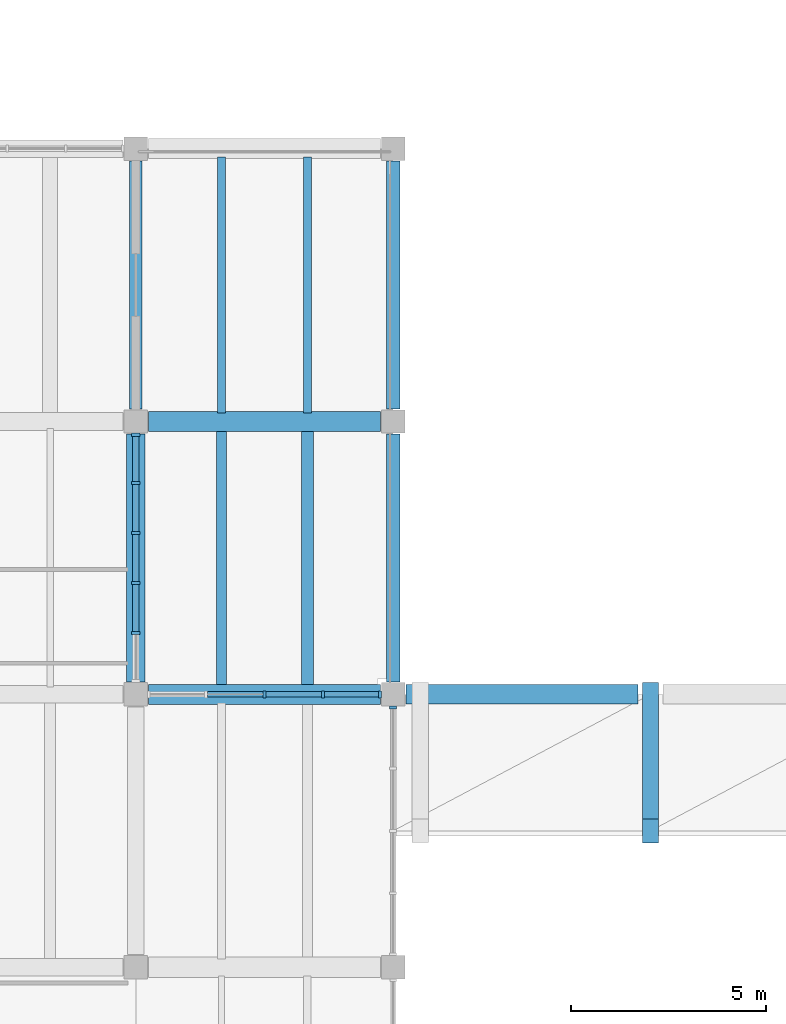
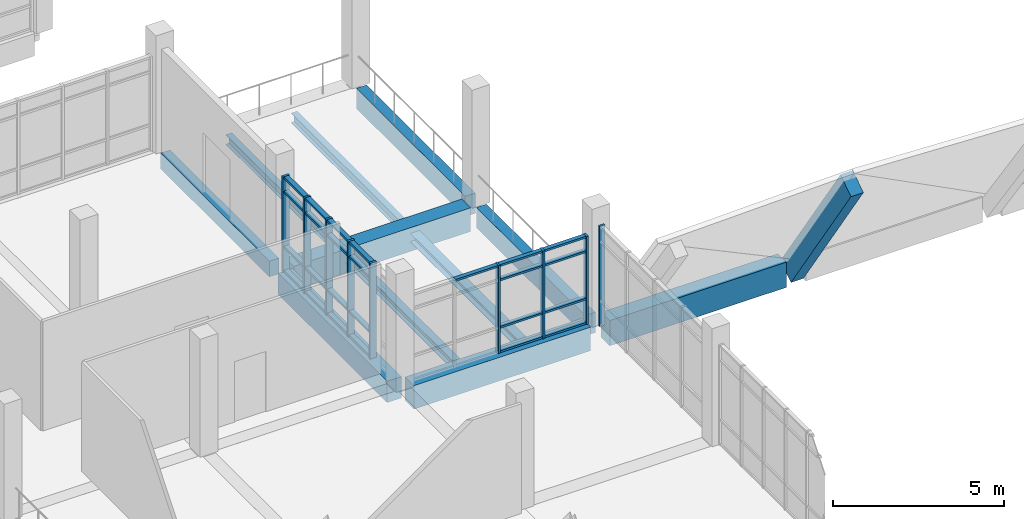
# One storey, part 16 of 67: 34 members, 12 beams, 3 elements without a shape of their own.
"""IFC4 building model written with IfcOpenShell, lengths in metres."""

from ifc_helpers import new_model, si_unit, direction, frame, origin, origin_2d, place, context, subcontext, project, spatial, rectangle, i_section, extrude, material, material_profile, profile_set, type_object, element, aggregate, save


model = new_model("IFC4")

# Units and contexts
model_context = context("Model", 3, precision=1e-05, world=origin(), true_north=direction((0.0, 1.0)))
body_context = subcontext(model_context, "Body", "Model", "MODEL_VIEW")
ifc_project = project(units=[si_unit("LENGTHUNIT", "METRE"), si_unit("AREAUNIT", "SQUARE_METRE"), si_unit("VOLUMEUNIT", "CUBIC_METRE"), si_unit("PLANEANGLEUNIT", "RADIAN"), si_unit("MASSUNIT", "GRAM", prefix="KILO")], contexts=[model_context])

# Site, building, storey
site_placement = place(None, origin())
site = spatial("IfcSite", under=ifc_project, at=site_placement, CompositionType="ELEMENT")
building_placement = place(site_placement, origin())
building = spatial("IfcBuilding", under=site, at=building_placement, Name="Ciguamira Faculty of Natural Sciences", CompositionType="ELEMENT")
storey_placement = place(building_placement, frame((0.0, 0.0, 8.39990234375)))
storey = spatial("IfcBuildingStorey", under=building, at=storey_placement, Name="L02", CompositionType="ELEMENT", Elevation=8.39990234375)

# Curtain wall, members
ifc_material_1 = material(Name="Anodized aluminium curtain wall", Category="aluminium")
curtain_wall_type_1 = type_object("IfcCurtainWallType", Name="CurtainWall_CW-11", PredefinedType="USERDEFINED", material=ifc_material_1)
curtain_wall_1_placement = place(storey_placement, origin())
curtain_wall_1 = element("IfcCurtainWall", 1, at=curtain_wall_1_placement, inside=storey, type_object=curtain_wall_type_1, Name="L02 unitised curtain wall 0059", ObjectType="UNITISED CURTAIN WALL", PredefinedType="USERDEFINED")
ifc_material_2 = material(Name="Anodized aluminium mullion", Category="aluminium")
ifc_material_profile_1 = material_profile(ifc_material_2, rectangle(XDim=0.070068359375, YDim=0.179931640625, at=origin_2d()), Name="ALU-MUL-70X180")
ifc_profile_set_1 = profile_set([ifc_material_profile_1], Name="Anodized aluminium mullion")
member_type_1 = type_object("IfcMemberType", Name="CWMullion_CWM-02", PredefinedType="MULLION", material=ifc_profile_set_1)
member_1_placement = place(storey_placement, frame((120.0, 24.0, 0.0), z_axis=(0.0, 0.0, 1.0), x_axis=(1.0, 0.0, 0.0)))
member_1 = element("IfcMember", 2, at=member_1_placement, type_object=member_type_1, Name="CW-11 mullion 3", PredefinedType="MULLION", context=body_context, shape_type="SweptSolid", body=[
    extrude(rectangle(XDim=0.070068359375, YDim=0.179931640625, at=origin_2d()), origin(), (0.0, 0.0, 1.0), 3.135009765625),
])
member_2_placement = place(storey_placement, frame((121.5, 24.0, 0.0), z_axis=(0.0, 0.0, 1.0), x_axis=(1.0, 0.0, 0.0)))
member_2 = element("IfcMember", 3, at=member_2_placement, type_object=member_type_1, Name="CW-11 mullion 4", PredefinedType="MULLION", context=body_context, shape_type="SweptSolid", body=[
    extrude(rectangle(XDim=0.070068359375, YDim=0.179931640625, at=origin_2d()), origin(), (0.0, 0.0, 1.0), 3.135009765625),
])
member_3_placement = place(storey_placement, frame((122.965087890625, 24.0, 0.0), z_axis=(0.0, 0.0, 1.0), x_axis=(1.0, 0.0, 0.0)))
member_3 = element("IfcMember", 4, at=member_3_placement, type_object=member_type_1, Name="CW-11 mullion 5", PredefinedType="MULLION", context=body_context, shape_type="SweptSolid", body=[
    extrude(rectangle(XDim=0.070068359375, YDim=0.179931640625, at=origin_2d()), origin(), (0.0, 0.0, 1.0), 3.135009765625),
])

# Curtain wall, member
curtain_wall_type_2 = type_object("IfcCurtainWallType", Name="CurtainWall_CW-08", PredefinedType="USERDEFINED", material=ifc_material_1)
curtain_wall_2_placement = place(storey_placement, origin())
curtain_wall_2 = element("IfcCurtainWall", 5, at=curtain_wall_2_placement, inside=storey, type_object=curtain_wall_type_2, Name="L02 unitised curtain wall 0080", ObjectType="UNITISED CURTAIN WALL", PredefinedType="USERDEFINED")
member_4_placement = place(storey_placement, frame((123.300048828125, 23.6650390625, 0.0), z_axis=(0.0, 0.0, 1.0), x_axis=(0.0, 1.0, 0.0)))
member_4 = element("IfcMember", 6, at=member_4_placement, type_object=member_type_1, Name="CW-08 mullion 5", PredefinedType="MULLION", context=body_context, shape_type="SweptSolid", body=[
    extrude(rectangle(XDim=0.070068359375, YDim=0.179931640625, at=origin_2d()), origin(), (0.0, 0.0, 1.0), 3.565185546875),
])
aggregate(curtain_wall_2, [member_4])

# Curtain wall, members
curtain_wall_type_3 = type_object("IfcCurtainWallType", Name="CurtainWall_CW-06", PredefinedType="USERDEFINED", material=ifc_material_1)
curtain_wall_3_placement = place(storey_placement, origin())
curtain_wall_3 = element("IfcCurtainWall", 7, at=curtain_wall_3_placement, inside=storey, type_object=curtain_wall_type_3, Name="L02 unitised curtain wall 0078", ObjectType="UNITISED CURTAIN WALL", PredefinedType="USERDEFINED")
ifc_material_profile_2 = material_profile(ifc_material_2, rectangle(XDim=0.080078125, YDim=0.219970703125, at=origin_2d()), Name="ALU-MUL-80X220")
ifc_profile_set_2 = profile_set([ifc_material_profile_2], Name="Anodized aluminium mullion")
member_type_2 = type_object("IfcMemberType", Name="CWMullion_CWM-03", PredefinedType="MULLION", material=ifc_profile_set_2)
member_5_placement = place(storey_placement, frame((116.699951171875, 25.580078125, 0.0), z_axis=(0.0, 0.0, 1.0), x_axis=(0.0, 1.0, 0.0)))
member_5 = element("IfcMember", 8, at=member_5_placement, type_object=member_type_2, Name="CW-06 mullion 2", PredefinedType="MULLION", context=body_context, shape_type="SweptSolid", body=[
    extrude(rectangle(XDim=0.080078125, YDim=0.219970703125, at=origin_2d()), origin(), (0.0, 0.0, 1.0), 3.405029296875),
])
member_6_placement = place(storey_placement, frame((116.699951171875, 26.860107421875, 0.0), z_axis=(0.0, 0.0, 1.0), x_axis=(0.0, 1.0, 0.0)))
member_6 = element("IfcMember", 9, at=member_6_placement, type_object=member_type_2, Name="CW-06 mullion 3", PredefinedType="MULLION", context=body_context, shape_type="SweptSolid", body=[
    extrude(rectangle(XDim=0.080078125, YDim=0.219970703125, at=origin_2d()), origin(), (0.0, 0.0, 1.0), 3.405029296875),
])
member_7_placement = place(storey_placement, frame((116.699951171875, 28.139892578125, 0.0), z_axis=(0.0, 0.0, 1.0), x_axis=(0.0, 1.0, 0.0)))
member_7 = element("IfcMember", 10, at=member_7_placement, type_object=member_type_2, Name="CW-06 mullion 4", PredefinedType="MULLION", context=body_context, shape_type="SweptSolid", body=[
    extrude(rectangle(XDim=0.080078125, YDim=0.219970703125, at=origin_2d()), origin(), (0.0, 0.0, 1.0), 3.405029296875),
])
member_8_placement = place(storey_placement, frame((116.699951171875, 29.419921875, 0.0), z_axis=(0.0, 0.0, 1.0), x_axis=(0.0, 1.0, 0.0)))
member_8 = element("IfcMember", 11, at=member_8_placement, type_object=member_type_2, Name="CW-06 mullion 5", PredefinedType="MULLION", context=body_context, shape_type="SweptSolid", body=[
    extrude(rectangle(XDim=0.080078125, YDim=0.219970703125, at=origin_2d()), origin(), (0.0, 0.0, 1.0), 3.405029296875),
])
member_9_placement = place(storey_placement, frame((116.699951171875, 30.659912109375, 0.0), z_axis=(0.0, 0.0, 1.0), x_axis=(0.0, 1.0, 0.0)))
member_9 = element("IfcMember", 12, at=member_9_placement, type_object=member_type_2, Name="CW-06 mullion 6", PredefinedType="MULLION", context=body_context, shape_type="SweptSolid", body=[
    extrude(rectangle(XDim=0.080078125, YDim=0.219970703125, at=origin_2d()), origin(), (0.0, 0.0, 1.0), 3.405029296875),
])

# Member
ifc_material_3 = material(Name="Anodized aluminium transom", Category="aluminium")
ifc_material_profile_3 = material_profile(ifc_material_3, rectangle(XDim=0.070068359375, YDim=0.139892578125, at=origin_2d()), Name="ALU-TRN-70X140")
ifc_profile_set_3 = profile_set([ifc_material_profile_3], Name="Anodized aluminium transom")
member_type_3 = type_object("IfcMemberType", Name="CWTransom_CWT-02", PredefinedType="USERDEFINED", material=ifc_profile_set_3)
member_10_placement = place(storey_placement, frame((118.534912109375, 24.0, 3.10009765625), z_axis=(1.0, 0.0, 0.0), x_axis=(0.0, 0.0, 1.0)))
member_10 = element("IfcMember", 13, at=member_10_placement, type_object=member_type_3, Name="CW-11 transom 2.4", ObjectType="TRANSOM", PredefinedType="USERDEFINED", context=body_context, shape_type="SweptSolid", body=[
    extrude(rectangle(XDim=0.070068359375, YDim=0.139892578125, at=origin_2d()), origin(), (0.0, 0.0, 1.0), 1.43017578125),
])

member_11_placement = place(storey_placement, frame((120.034912109375, 24.0, 0.03515625), z_axis=(1.0, 0.0, 0.0), x_axis=(0.0, 0.0, 1.0)))
member_11 = element("IfcMember", 14, at=member_11_placement, type_object=member_type_3, Name="CW-11 transom 3.1", ObjectType="TRANSOM", PredefinedType="USERDEFINED", context=body_context, shape_type="SweptSolid", body=[
    extrude(rectangle(XDim=0.070068359375, YDim=0.139892578125, at=origin_2d()), origin(), (0.0, 0.0, 1.0), 1.43017578125),
])

member_12_placement = place(storey_placement, frame((120.034912109375, 24.0, 0.900146484375), z_axis=(1.0, 0.0, 0.0), x_axis=(0.0, 0.0, 1.0)))
member_12 = element("IfcMember", 15, at=member_12_placement, type_object=member_type_3, Name="CW-11 transom 3.2", ObjectType="TRANSOM", PredefinedType="USERDEFINED", context=body_context, shape_type="SweptSolid", body=[
    extrude(rectangle(XDim=0.070068359375, YDim=0.139892578125, at=origin_2d()), origin(), (0.0, 0.0, 1.0), 1.43017578125),
])

member_13_placement = place(storey_placement, frame((120.034912109375, 24.0, 2.585205078125), z_axis=(1.0, 0.0, 0.0), x_axis=(0.0, 0.0, 1.0)))
member_13 = element("IfcMember", 16, at=member_13_placement, type_object=member_type_3, Name="CW-11 transom 3.3", ObjectType="TRANSOM", PredefinedType="USERDEFINED", context=body_context, shape_type="SweptSolid", body=[
    extrude(rectangle(XDim=0.070068359375, YDim=0.139892578125, at=origin_2d()), origin(), (0.0, 0.0, 1.0), 1.43017578125),
])

member_14_placement = place(storey_placement, frame((120.034912109375, 24.0, 3.10009765625), z_axis=(1.0, 0.0, 0.0), x_axis=(0.0, 0.0, 1.0)))
member_14 = element("IfcMember", 17, at=member_14_placement, type_object=member_type_3, Name="CW-11 transom 3.4", ObjectType="TRANSOM", PredefinedType="USERDEFINED", context=body_context, shape_type="SweptSolid", body=[
    extrude(rectangle(XDim=0.070068359375, YDim=0.139892578125, at=origin_2d()), origin(), (0.0, 0.0, 1.0), 1.43017578125),
])

member_15_placement = place(storey_placement, frame((121.534912109375, 24.0, 0.03515625), z_axis=(1.0, 0.0, 0.0), x_axis=(0.0, 0.0, 1.0)))
member_15 = element("IfcMember", 18, at=member_15_placement, type_object=member_type_3, Name="CW-11 transom 4.1", ObjectType="TRANSOM", PredefinedType="USERDEFINED", context=body_context, shape_type="SweptSolid", body=[
    extrude(rectangle(XDim=0.070068359375, YDim=0.139892578125, at=origin_2d()), origin(), (0.0, 0.0, 1.0), 1.39501953125),
])

member_16_placement = place(storey_placement, frame((121.534912109375, 24.0, 0.900146484375), z_axis=(1.0, 0.0, 0.0), x_axis=(0.0, 0.0, 1.0)))
member_16 = element("IfcMember", 19, at=member_16_placement, type_object=member_type_3, Name="CW-11 transom 4.2", ObjectType="TRANSOM", PredefinedType="USERDEFINED", context=body_context, shape_type="SweptSolid", body=[
    extrude(rectangle(XDim=0.070068359375, YDim=0.139892578125, at=origin_2d()), origin(), (0.0, 0.0, 1.0), 1.39501953125),
])

member_17_placement = place(storey_placement, frame((121.534912109375, 24.0, 2.585205078125), z_axis=(1.0, 0.0, 0.0), x_axis=(0.0, 0.0, 1.0)))
member_17 = element("IfcMember", 20, at=member_17_placement, type_object=member_type_3, Name="CW-11 transom 4.3", ObjectType="TRANSOM", PredefinedType="USERDEFINED", context=body_context, shape_type="SweptSolid", body=[
    extrude(rectangle(XDim=0.070068359375, YDim=0.139892578125, at=origin_2d()), origin(), (0.0, 0.0, 1.0), 1.39501953125),
])

member_18_placement = place(storey_placement, frame((121.534912109375, 24.0, 3.10009765625), z_axis=(1.0, 0.0, 0.0), x_axis=(0.0, 0.0, 1.0)))
member_18 = element("IfcMember", 21, at=member_18_placement, type_object=member_type_3, Name="CW-11 transom 4.4", ObjectType="TRANSOM", PredefinedType="USERDEFINED", context=body_context, shape_type="SweptSolid", body=[
    extrude(rectangle(XDim=0.070068359375, YDim=0.139892578125, at=origin_2d()), origin(), (0.0, 0.0, 1.0), 1.39501953125),
])

aggregate(curtain_wall_1, [member_1, member_2, member_3, member_10, member_11, member_12, member_13, member_14, member_15, member_16, member_17, member_18])

ifc_material_profile_4 = material_profile(ifc_material_3, rectangle(XDim=0.080078125, YDim=0.159912109375, at=origin_2d()), Name="ALU-TRN-80X160")
ifc_profile_set_4 = profile_set([ifc_material_profile_4], Name="Anodized aluminium transom")
member_type_4 = type_object("IfcMemberType", Name="CWTransom_CWT-03", PredefinedType="USERDEFINED", material=ifc_profile_set_4)
member_19_placement = place(storey_placement, frame((116.699951171875, 25.6201171875, 0.0400390625), z_axis=(0.0, 1.0, 0.0), x_axis=(0.0, 0.0, 1.0)))
member_19 = element("IfcMember", 22, at=member_19_placement, type_object=member_type_4, Name="CW-06 transom 2.1", ObjectType="TRANSOM", PredefinedType="USERDEFINED", context=body_context, shape_type="SweptSolid", body=[
    extrude(rectangle(XDim=0.080078125, YDim=0.159912109375, at=origin_2d()), origin(), (0.0, 0.0, 1.0), 1.199951171875),
])

member_20_placement = place(storey_placement, frame((116.699951171875, 25.6201171875, 0.900146484375), z_axis=(0.0, 1.0, 0.0), x_axis=(0.0, 0.0, 1.0)))
member_20 = element("IfcMember", 23, at=member_20_placement, type_object=member_type_4, Name="CW-06 transom 2.2", ObjectType="TRANSOM", PredefinedType="USERDEFINED", context=body_context, shape_type="SweptSolid", body=[
    extrude(rectangle(XDim=0.080078125, YDim=0.159912109375, at=origin_2d()), origin(), (0.0, 0.0, 1.0), 1.199951171875),
])

member_21_placement = place(storey_placement, frame((116.699951171875, 25.6201171875, 2.85498046875), z_axis=(0.0, 1.0, 0.0), x_axis=(0.0, 0.0, 1.0)))
member_21 = element("IfcMember", 24, at=member_21_placement, type_object=member_type_4, Name="CW-06 transom 2.3", ObjectType="TRANSOM", PredefinedType="USERDEFINED", context=body_context, shape_type="SweptSolid", body=[
    extrude(rectangle(XDim=0.080078125, YDim=0.159912109375, at=origin_2d()), origin(), (0.0, 0.0, 1.0), 1.199951171875),
])

member_22_placement = place(storey_placement, frame((116.699951171875, 25.6201171875, 3.364990234375), z_axis=(0.0, 1.0, 0.0), x_axis=(0.0, 0.0, 1.0)))
member_22 = element("IfcMember", 25, at=member_22_placement, type_object=member_type_4, Name="CW-06 transom 2.4", ObjectType="TRANSOM", PredefinedType="USERDEFINED", context=body_context, shape_type="SweptSolid", body=[
    extrude(rectangle(XDim=0.080078125, YDim=0.159912109375, at=origin_2d()), origin(), (0.0, 0.0, 1.0), 1.199951171875),
])

member_23_placement = place(storey_placement, frame((116.699951171875, 26.89990234375, 0.0400390625), z_axis=(0.0, 1.0, 0.0), x_axis=(0.0, 0.0, 1.0)))
member_23 = element("IfcMember", 26, at=member_23_placement, type_object=member_type_4, Name="CW-06 transom 3.1", ObjectType="TRANSOM", PredefinedType="USERDEFINED", context=body_context, shape_type="SweptSolid", body=[
    extrude(rectangle(XDim=0.080078125, YDim=0.159912109375, at=origin_2d()), origin(), (0.0, 0.0, 1.0), 1.2001953125),
])

member_24_placement = place(storey_placement, frame((116.699951171875, 26.89990234375, 0.900146484375), z_axis=(0.0, 1.0, 0.0), x_axis=(0.0, 0.0, 1.0)))
member_24 = element("IfcMember", 27, at=member_24_placement, type_object=member_type_4, Name="CW-06 transom 3.2", ObjectType="TRANSOM", PredefinedType="USERDEFINED", context=body_context, shape_type="SweptSolid", body=[
    extrude(rectangle(XDim=0.080078125, YDim=0.159912109375, at=origin_2d()), origin(), (0.0, 0.0, 1.0), 1.2001953125),
])

member_25_placement = place(storey_placement, frame((116.699951171875, 26.89990234375, 2.85498046875), z_axis=(0.0, 1.0, 0.0), x_axis=(0.0, 0.0, 1.0)))
member_25 = element("IfcMember", 28, at=member_25_placement, type_object=member_type_4, Name="CW-06 transom 3.3", ObjectType="TRANSOM", PredefinedType="USERDEFINED", context=body_context, shape_type="SweptSolid", body=[
    extrude(rectangle(XDim=0.080078125, YDim=0.159912109375, at=origin_2d()), origin(), (0.0, 0.0, 1.0), 1.2001953125),
])

member_26_placement = place(storey_placement, frame((116.699951171875, 26.89990234375, 3.364990234375), z_axis=(0.0, 1.0, 0.0), x_axis=(0.0, 0.0, 1.0)))
member_26 = element("IfcMember", 29, at=member_26_placement, type_object=member_type_4, Name="CW-06 transom 3.4", ObjectType="TRANSOM", PredefinedType="USERDEFINED", context=body_context, shape_type="SweptSolid", body=[
    extrude(rectangle(XDim=0.080078125, YDim=0.159912109375, at=origin_2d()), origin(), (0.0, 0.0, 1.0), 1.2001953125),
])

member_27_placement = place(storey_placement, frame((116.699951171875, 28.179931640625, 0.0400390625), z_axis=(0.0, 1.0, 0.0), x_axis=(0.0, 0.0, 1.0)))
member_27 = element("IfcMember", 30, at=member_27_placement, type_object=member_type_4, Name="CW-06 transom 4.1", ObjectType="TRANSOM", PredefinedType="USERDEFINED", context=body_context, shape_type="SweptSolid", body=[
    extrude(rectangle(XDim=0.080078125, YDim=0.159912109375, at=origin_2d()), origin(), (0.0, 0.0, 1.0), 1.199951171875),
])

member_28_placement = place(storey_placement, frame((116.699951171875, 28.179931640625, 0.900146484375), z_axis=(0.0, 1.0, 0.0), x_axis=(0.0, 0.0, 1.0)))
member_28 = element("IfcMember", 31, at=member_28_placement, type_object=member_type_4, Name="CW-06 transom 4.2", ObjectType="TRANSOM", PredefinedType="USERDEFINED", context=body_context, shape_type="SweptSolid", body=[
    extrude(rectangle(XDim=0.080078125, YDim=0.159912109375, at=origin_2d()), origin(), (0.0, 0.0, 1.0), 1.199951171875),
])

member_29_placement = place(storey_placement, frame((116.699951171875, 28.179931640625, 2.85498046875), z_axis=(0.0, 1.0, 0.0), x_axis=(0.0, 0.0, 1.0)))
member_29 = element("IfcMember", 32, at=member_29_placement, type_object=member_type_4, Name="CW-06 transom 4.3", ObjectType="TRANSOM", PredefinedType="USERDEFINED", context=body_context, shape_type="SweptSolid", body=[
    extrude(rectangle(XDim=0.080078125, YDim=0.159912109375, at=origin_2d()), origin(), (0.0, 0.0, 1.0), 1.199951171875),
])

member_30_placement = place(storey_placement, frame((116.699951171875, 28.179931640625, 3.364990234375), z_axis=(0.0, 1.0, 0.0), x_axis=(0.0, 0.0, 1.0)))
member_30 = element("IfcMember", 33, at=member_30_placement, type_object=member_type_4, Name="CW-06 transom 4.4", ObjectType="TRANSOM", PredefinedType="USERDEFINED", context=body_context, shape_type="SweptSolid", body=[
    extrude(rectangle(XDim=0.080078125, YDim=0.159912109375, at=origin_2d()), origin(), (0.0, 0.0, 1.0), 1.199951171875),
])

member_31_placement = place(storey_placement, frame((116.699951171875, 29.4599609375, 0.0400390625), z_axis=(0.0, 1.0, 0.0), x_axis=(0.0, 0.0, 1.0)))
member_31 = element("IfcMember", 34, at=member_31_placement, type_object=member_type_4, Name="CW-06 transom 5.1", ObjectType="TRANSOM", PredefinedType="USERDEFINED", context=body_context, shape_type="SweptSolid", body=[
    extrude(rectangle(XDim=0.080078125, YDim=0.159912109375, at=origin_2d()), origin(), (0.0, 0.0, 1.0), 1.16015625),
])

member_32_placement = place(storey_placement, frame((116.699951171875, 29.4599609375, 0.900146484375), z_axis=(0.0, 1.0, 0.0), x_axis=(0.0, 0.0, 1.0)))
member_32 = element("IfcMember", 35, at=member_32_placement, type_object=member_type_4, Name="CW-06 transom 5.2", ObjectType="TRANSOM", PredefinedType="USERDEFINED", context=body_context, shape_type="SweptSolid", body=[
    extrude(rectangle(XDim=0.080078125, YDim=0.159912109375, at=origin_2d()), origin(), (0.0, 0.0, 1.0), 1.16015625),
])

member_33_placement = place(storey_placement, frame((116.699951171875, 29.4599609375, 2.85498046875), z_axis=(0.0, 1.0, 0.0), x_axis=(0.0, 0.0, 1.0)))
member_33 = element("IfcMember", 36, at=member_33_placement, type_object=member_type_4, Name="CW-06 transom 5.3", ObjectType="TRANSOM", PredefinedType="USERDEFINED", context=body_context, shape_type="SweptSolid", body=[
    extrude(rectangle(XDim=0.080078125, YDim=0.159912109375, at=origin_2d()), origin(), (0.0, 0.0, 1.0), 1.16015625),
])

member_34_placement = place(storey_placement, frame((116.699951171875, 29.4599609375, 3.364990234375), z_axis=(0.0, 1.0, 0.0), x_axis=(0.0, 0.0, 1.0)))
member_34 = element("IfcMember", 37, at=member_34_placement, type_object=member_type_4, Name="CW-06 transom 5.4", ObjectType="TRANSOM", PredefinedType="USERDEFINED", context=body_context, shape_type="SweptSolid", body=[
    extrude(rectangle(XDim=0.080078125, YDim=0.159912109375, at=origin_2d()), origin(), (0.0, 0.0, 1.0), 1.16015625),
])

aggregate(curtain_wall_3, [member_5, member_6, member_7, member_8, member_9, member_19, member_20, member_21, member_22, member_23, member_24, member_25, member_26, member_27, member_28, member_29, member_30, member_31, member_32, member_33, member_34])

# Beams
ifc_material_4 = material(Name="Concrete C40/50", Category="concrete")
ifc_material_profile_5 = material_profile(ifc_material_4, rectangle(XDim=0.5, YDim=0.89990234375, at=origin_2d()), Name="RC-BM-500X900")
ifc_profile_set_5 = profile_set([ifc_material_profile_5], Name="Concrete C40/50")
beam_type_1 = type_object("IfcBeamType", Name="RCBeam_BG-03_RC-BM-500X900", PredefinedType="BEAM", material=ifc_profile_set_5)
beam_1_placement = place(storey_placement, frame((123.625, 24.0, -0.449951171875), z_axis=(1.0, 0.0, 0.0), x_axis=(0.0, 1.0, 0.0)))
element("IfcBeam", 38, at=beam_1_placement, inside=storey, type_object=beam_type_1, Name="V1 shell visible RC edge tie beam N-01", PredefinedType="BEAM", context=body_context, shape_type="SweptSolid", body=[
    extrude(rectangle(XDim=0.5, YDim=0.89990234375, at=origin_2d()), origin(), (0.0, 0.0, 1.0), 5.949951171875),
])
ifc_material_profile_6 = material_profile(ifc_material_4, rectangle(XDim=0.419921875, YDim=0.739990234375, at=origin_2d()), Name="RC-BM-420X740")
ifc_profile_set_6 = profile_set([ifc_material_profile_6], Name="Concrete C40/50")
beam_type_2 = type_object("IfcBeamType", Name="RCBeam_BG-07_RC-BM-420X740", PredefinedType="BEAM", material=ifc_profile_set_6)
beam_2_placement = place(storey_placement, frame((129.89990234375, 20.5, 4.64990234375), z_axis=(0.0, 0.559880600697, -0.828573299692), x_axis=(-1.0, 0.0, 0.0)))
element("IfcBeam", 39, at=beam_2_placement, inside=storey, type_object=beam_type_2, Name="V1 shell RC arch rib 02-06", PredefinedType="BEAM", context=body_context, shape_type="SweptSolid", body=[
    extrude(rectangle(XDim=0.419921875, YDim=0.739990234375, at=origin_2d()), origin(), (0.0, 0.0, 1.0), 6.251220703125),
])
ifc_material_profile_7 = material_profile(ifc_material_4, rectangle(XDim=0.320068359375, YDim=0.56005859375, at=origin_2d()), Name="RC-BM-320X560")
ifc_profile_set_7 = profile_set([ifc_material_profile_7], Name="Concrete C40/50")
beam_type_3 = type_object("IfcBeamType", Name="RCBeam_BG-12_RC-BM-320X560", PredefinedType="BEAM", material=ifc_profile_set_7)
beam_3_placement = place(storey_placement, frame((116.699951171875, 31.324951171875, -0.27978515625), z_axis=(0.0, 1.0, 0.0), x_axis=(-1.0, 0.0, 0.0)))
element("IfcBeam", 40, at=beam_3_placement, inside=storey, type_object=beam_type_3, Name="L02 girder NS-1001", PredefinedType="BEAM", context=body_context, shape_type="SweptSolid", body=[
    extrude(rectangle(XDim=0.320068359375, YDim=0.56005859375, at=origin_2d()), origin(), (0.0, 0.0, 1.0), 6.35009765625),
])
ifc_material_5 = material(Name="Precast concrete C40/50", Category="concrete")
ifc_material_profile_8 = material_profile(ifc_material_5, rectangle(XDim=0.340087890625, YDim=0.719970703125, at=origin_2d()), Name="RC-SP-340X720")
ifc_profile_set_8 = profile_set([ifc_material_profile_8], Name="Precast concrete C40/50")
beam_type_4 = type_object("IfcBeamType", Name="RCBeam_SP-03_RC-SP-340X720", PredefinedType="SPANDREL", material=ifc_profile_set_8)
for number, where, z_axis, x_axis, name in (
    (41, (123.300048828125, 24.324951171875, -0.35986328125), (0.0, 1.0, 0.0), (-1.0, 0.0, 0.0), "L02 girder NS-1011"),
    (42, (123.300048828125, 31.324951171875, -0.35986328125), (0.0, 1.0, 0.0), (-1.0, 0.0, 0.0), "L02 girder NS-1012"),
):
    element("IfcBeam", number, at=place(storey_placement, frame(where, z_axis=z_axis, x_axis=x_axis)), inside=storey, type_object=beam_type_4, Name=name, PredefinedType="SPANDREL", context=body_context, shape_type="SweptSolid", body=[
        extrude(rectangle(XDim=0.340087890625, YDim=0.719970703125, at=origin_2d()), origin(), (0.0, 0.0, 1.0), 6.35009765625),
    ])
ifc_material_profile_9 = material_profile(ifc_material_4, rectangle(XDim=0.47998046875, YDim=0.760009765625, at=origin_2d()), Name="RC-TB-480X760")
ifc_profile_set_9 = profile_set([ifc_material_profile_9], Name="Concrete C40/50")
beam_type_5 = type_object("IfcBeamType", Name="RCBeam_TB-01_RC-TB-480X760", PredefinedType="T_BEAM", material=ifc_profile_set_9)
beam_4_placement = place(storey_placement, frame((116.699951171875, 24.324951171875, -0.3798828125), z_axis=(0.0, 1.0, 0.0), x_axis=(-1.0, 0.0, 0.0)))
element("IfcBeam", 43, at=beam_4_placement, inside=storey, type_object=beam_type_5, Name="L02 girder NS-1000", PredefinedType="T_BEAM", context=body_context, shape_type="SweptSolid", body=[
    extrude(rectangle(XDim=0.47998046875, YDim=0.760009765625, at=origin_2d()), origin(), (0.0, 0.0, 1.0), 6.35009765625),
])
ifc_material_profile_10 = material_profile(ifc_material_4, rectangle(XDim=0.52001953125, YDim=0.840087890625, at=origin_2d()), Name="RC-TB-520X840")
ifc_profile_set_10 = profile_set([ifc_material_profile_10], Name="Concrete C40/50")
beam_type_6 = type_object("IfcBeamType", Name="RCBeam_TB-02_RC-TB-520X840", PredefinedType="T_BEAM", material=ifc_profile_set_10)
for number, where, z_axis, x_axis, name in (
    (44, (117.02490234375, 24.0, -0.419921875), (1.0, 0.0, 0.0), (0.0, 1.0, 0.0), "L02 RC girder EW-0760"),
    (45, (117.02490234375, 31.0, -0.419921875), (1.0, 0.0, 0.0), (0.0, 1.0, 0.0), "L02 RC girder EW-0771"),
):
    element("IfcBeam", number, at=place(storey_placement, frame(where, z_axis=z_axis, x_axis=x_axis)), inside=storey, type_object=beam_type_6, Name=name, PredefinedType="T_BEAM", context=body_context, shape_type="SweptSolid", body=[
        extrude(rectangle(XDim=0.52001953125, YDim=0.840087890625, at=origin_2d()), origin(), (0.0, 0.0, 1.0), 5.9501953125),
    ])
ifc_material_6 = material(Name="Steel ASTM A992 Grade 50", Category="steel")
ifc_material_profile_11 = material_profile(ifc_material_6, i_section(OverallWidth=0.25390625, OverallDepth=0.307373046875, WebThickness=0.0087890625, FlangeThickness=0.0146484375, at=origin_2d()), Name="W12X53")
ifc_profile_set_11 = profile_set([ifc_material_profile_11], Name="Steel ASTM A992 Grade 50")
beam_type_7 = type_object("IfcBeamType", Name="SteelJoist_SJ-07_W12X53", PredefinedType="JOIST", material=ifc_profile_set_11)
beam_5_placement = place(storey_placement, frame((118.89990234375, 24.219970703125, -0.353515625), z_axis=(0.0, 1.0, 0.0), x_axis=(-1.0, 0.0, 0.0)))
element("IfcBeam", 46, at=beam_5_placement, inside=storey, type_object=beam_type_7, Name="L02 composite steel joist 00953", PredefinedType="JOIST", context=body_context, shape_type="SweptSolid", body=[
    extrude(i_section(OverallWidth=0.25390625, OverallDepth=0.307373046875, WebThickness=0.0087890625, FlangeThickness=0.0146484375, at=origin_2d()), origin(), (0.0, 0.0, 1.0), 6.56005859375),
])
ifc_material_profile_12 = material_profile(ifc_material_6, i_section(OverallWidth=0.3046875, OverallDepth=0.307373046875, WebThickness=0.010009765625, FlangeThickness=0.015380859375, at=origin_2d()), Name="W12X65")
ifc_profile_set_12 = profile_set([ifc_material_profile_12], Name="Steel ASTM A992 Grade 50")
beam_type_8 = type_object("IfcBeamType", Name="SteelJoist_SJ-08_W12X65", PredefinedType="JOIST", material=ifc_profile_set_12)
beam_6_placement = place(storey_placement, frame((121.10009765625, 24.219970703125, -0.353515625), z_axis=(0.0, 1.0, 0.0), x_axis=(-1.0, 0.0, 0.0)))
element("IfcBeam", 47, at=beam_6_placement, inside=storey, type_object=beam_type_8, Name="L02 composite steel joist 00954", PredefinedType="JOIST", context=body_context, shape_type="SweptSolid", body=[
    extrude(i_section(OverallWidth=0.3046875, OverallDepth=0.307373046875, WebThickness=0.010009765625, FlangeThickness=0.015380859375, at=origin_2d()), origin(), (0.0, 0.0, 1.0), 6.56005859375),
])
ifc_material_profile_13 = material_profile(ifc_material_6, i_section(OverallWidth=0.203125, OverallDepth=0.347900390625, WebThickness=0.0078125, FlangeThickness=0.013427734375, at=origin_2d()), Name="W14X43")
ifc_profile_set_13 = profile_set([ifc_material_profile_13], Name="Steel ASTM A992 Grade 50")
beam_type_9 = type_object("IfcBeamType", Name="SteelJoist_SJ-12_W14X43", PredefinedType="JOIST", material=ifc_profile_set_13)
beam_7_placement = place(storey_placement, frame((118.89990234375, 31.219970703125, -0.3740234375), z_axis=(0.0, 1.0, 0.0), x_axis=(-1.0, 0.0, 0.0)))
element("IfcBeam", 48, at=beam_7_placement, inside=storey, type_object=beam_type_9, Name="L02 composite steel joist 00955", PredefinedType="JOIST", context=body_context, shape_type="SweptSolid", body=[
    extrude(i_section(OverallWidth=0.203125, OverallDepth=0.347900390625, WebThickness=0.0078125, FlangeThickness=0.013427734375, at=origin_2d()), origin(), (0.0, 0.0, 1.0), 6.56005859375),
])
ifc_material_profile_14 = material_profile(ifc_material_6, i_section(OverallWidth=0.204833984375, OverallDepth=0.35302734375, WebThickness=0.00927734375, FlangeThickness=0.016845703125, at=origin_2d()), Name="W14X53")
ifc_profile_set_14 = profile_set([ifc_material_profile_14], Name="Steel ASTM A992 Grade 50")
beam_type_10 = type_object("IfcBeamType", Name="SteelJoist_SJ-13_W14X53", PredefinedType="JOIST", material=ifc_profile_set_14)
beam_8_placement = place(storey_placement, frame((121.10009765625, 31.219970703125, -0.37646484375), z_axis=(0.0, 1.0, 0.0), x_axis=(-1.0, 0.0, 0.0)))
element("IfcBeam", 49, at=beam_8_placement, inside=storey, type_object=beam_type_10, Name="L02 composite steel joist 00956", PredefinedType="JOIST", context=body_context, shape_type="SweptSolid", body=[
    extrude(i_section(OverallWidth=0.204833984375, OverallDepth=0.35302734375, WebThickness=0.00927734375, FlangeThickness=0.016845703125, at=origin_2d()), origin(), (0.0, 0.0, 1.0), 6.56005859375),
])

save(model, "model.ifc")
